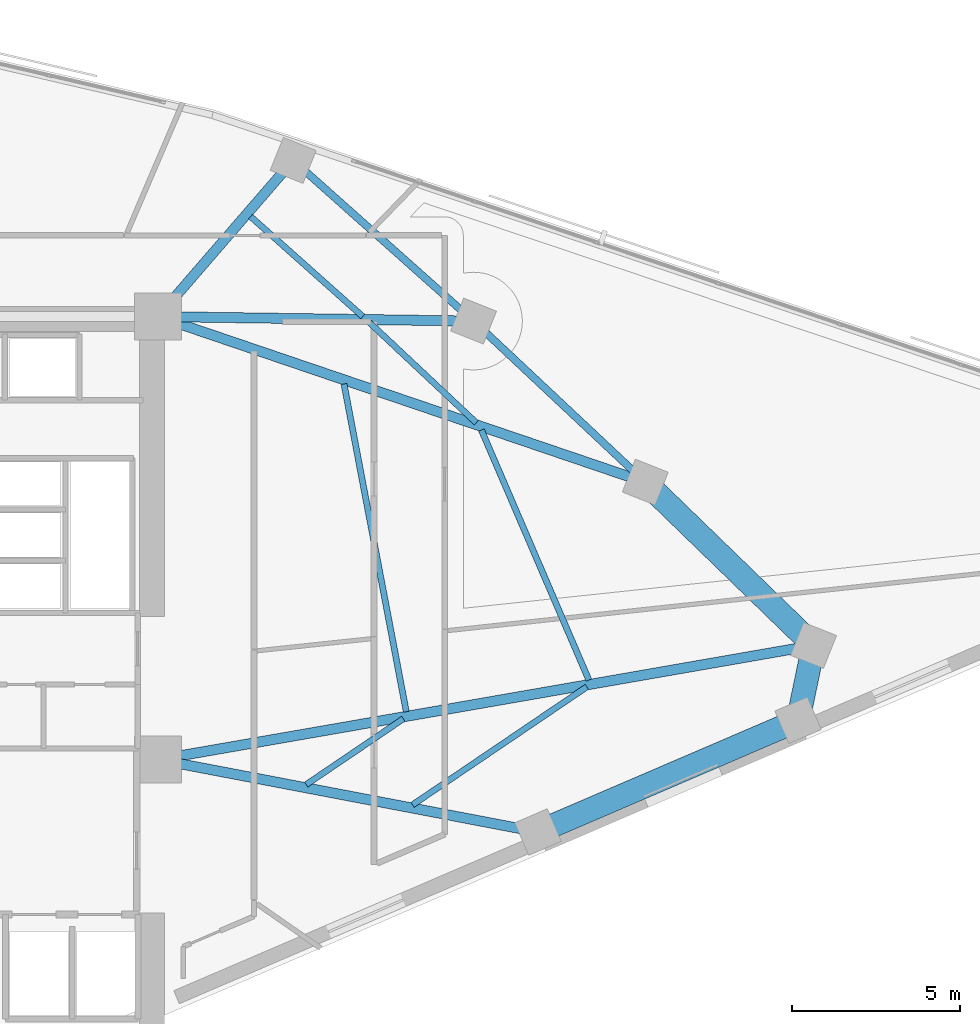
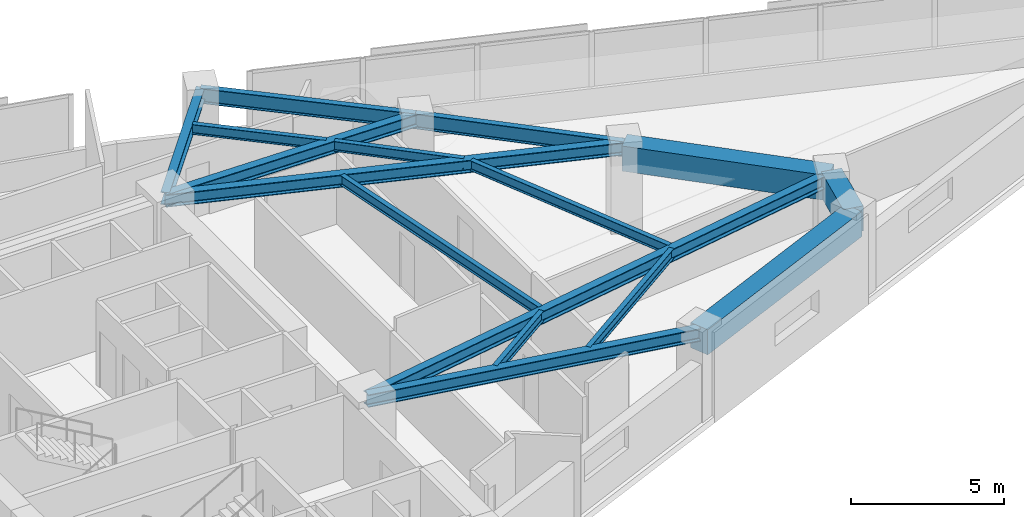
# One storey, part 3 of 13: 16 beams.
"""IFC4 building model written with IfcOpenShell, lengths in metres."""

from ifc_helpers import new_model, si_unit, direction, frame, origin, origin_2d, place, context, subcontext, project, spatial, rectangle, i_section, extrude, material, material_profile, profile_set, type_object, element, save


model = new_model("IFC4")

# Units and contexts
model_context = context("Model", 3, precision=1e-05, world=origin(), true_north=direction((0.0, 1.0)))
body_context = subcontext(model_context, "Body", "Model", "MODEL_VIEW")
ifc_project = project(units=[si_unit("LENGTHUNIT", "METRE"), si_unit("AREAUNIT", "SQUARE_METRE"), si_unit("VOLUMEUNIT", "CUBIC_METRE"), si_unit("PLANEANGLEUNIT", "RADIAN"), si_unit("MASSUNIT", "GRAM", prefix="KILO")], contexts=[model_context])

# Site, building, storey
site_placement = place(None, origin())
site = spatial("IfcSite", under=ifc_project, at=site_placement, CompositionType="ELEMENT")
building_placement = place(site_placement, origin())
building = spatial("IfcBuilding", under=site, at=building_placement, Name="Narakoshi Arena Tower", CompositionType="ELEMENT")
storey_placement = place(building_placement, frame((0.0, 0.0, 171.89990234375)))
storey = spatial("IfcBuildingStorey", under=building, at=storey_placement, Name="L46", CompositionType="ELEMENT", Elevation=171.89990234375)

# Beams
ifc_material_1 = material(Name="Concrete C60/75", Category="concrete")
ifc_material_profile_1 = material_profile(ifc_material_1, rectangle(XDim=0.699951171875, YDim=1.0, at=origin_2d()), Name="RCB700x1000")
ifc_profile_set_1 = profile_set([ifc_material_profile_1], Name="Concrete C60/75")
beam_type_1 = type_object("IfcBeamType", Name="BM-CPL-1000", PredefinedType="BEAM", material=ifc_profile_set_1)
beam_1_placement = place(storey_placement, frame((96.830078125, 41.2001953125, 2.840087890625), z_axis=(0.918792947441, 0.394739812703, 0.0), x_axis=(-0.394739812703, 0.918792947441, 0.0)))
element("IfcBeam", 1, at=beam_1_placement, inside=storey, type_object=beam_type_1, Name="L46 Perimeter Edge Girder 01", PredefinedType="BEAM", context=body_context, shape_type="SweptSolid", body=[
    extrude(rectangle(XDim=0.699951171875, YDim=1.0, at=origin_2d()), origin(), (0.0, 0.0, 1.0), 8.401611328125),
])
beam_2_placement = place(storey_placement, frame((104.54931640625, 44.5166015625, 2.840087890625), z_axis=(0.203000450605, 0.979178644096, 0.0), x_axis=(-0.979178644096, 0.203000450605, 0.0)))
element("IfcBeam", 2, at=beam_2_placement, inside=storey, type_object=beam_type_1, Name="L46 Perimeter Edge Girder 02", PredefinedType="BEAM", context=body_context, shape_type="SweptSolid", body=[
    extrude(rectangle(XDim=0.699951171875, YDim=1.0, at=origin_2d()), origin(), (0.0, 0.0, 1.0), 2.26953125),
])
beam_3_placement = place(storey_placement, frame((105.010009765625, 46.73876953125, 2.840087890625), z_axis=(-0.717826032278, 0.696222512839, 0.0), x_axis=(-0.696222512839, -0.717826032278, 0.0)))
element("IfcBeam", 3, at=beam_3_placement, inside=storey, type_object=beam_type_1, Name="L46 Perimeter Edge Girder 03", PredefinedType="BEAM", context=body_context, shape_type="SweptSolid", body=[
    extrude(rectangle(XDim=0.699951171875, YDim=1.0, at=origin_2d()), origin(), (0.0, 0.0, 1.0), 6.96142578125),
])
ifc_material_2 = material(Name="Structural steel S355J2", Category="steel")
ifc_material_profile_2 = material_profile(ifc_material_2, i_section(OverallWidth=0.219970703125, OverallDepth=0.60009765625, WebThickness=0.011962890625, FlangeThickness=0.01904296875, FilletRadius=0.02392578125, at=origin_2d()), Name="IPE600")
ifc_profile_set_2 = profile_set([ifc_material_profile_2], Name="Structural steel S355J2")
beam_type_2 = type_object("IfcBeamType", Name="BM-EDGE-600", PredefinedType="BEAM", material=ifc_profile_set_2)
beam_4_placement = place(storey_placement, frame((100.012939453125, 51.58544921875, 3.0400390625), z_axis=(-0.729413011888, 0.684073576517, 0.0), x_axis=(-0.684073576517, -0.729413011888, 0.0)))
element("IfcBeam", 4, at=beam_4_placement, inside=storey, type_object=beam_type_2, Name="L46 Perimeter Edge Girder 04", PredefinedType="BEAM", context=body_context, shape_type="SweptSolid", body=[
    extrude(i_section(OverallWidth=0.219970703125, OverallDepth=0.60009765625, WebThickness=0.011962890625, FlangeThickness=0.01904296875, FilletRadius=0.02392578125, at=origin_2d()), origin(), (0.0, 0.0, 1.0), 6.9892578125),
])
beam_5_placement = place(storey_placement, frame((94.914794921875, 56.36669921875, 3.0400390625), z_axis=(-0.746743797071, 0.665111796269, 0.0), x_axis=(-0.665111796269, -0.746743797071, 0.0)))
element("IfcBeam", 5, at=beam_5_placement, inside=storey, type_object=beam_type_2, Name="L46 Perimeter Edge Girder 05", PredefinedType="BEAM", context=body_context, shape_type="SweptSolid", body=[
    extrude(i_section(OverallWidth=0.219970703125, OverallDepth=0.60009765625, WebThickness=0.011962890625, FlangeThickness=0.01904296875, FilletRadius=0.02392578125, at=origin_2d()), origin(), (0.0, 0.0, 1.0), 7.168701171875),
])
ifc_material_profile_3 = material_profile(ifc_material_2, i_section(OverallWidth=0.300048828125, OverallDepth=0.5, WebThickness=0.014404296875, FlangeThickness=0.028076171875, FilletRadius=0.027099609375, at=origin_2d()), Name="HE500B")
ifc_profile_set_3 = profile_set([ifc_material_profile_3], Name="Structural steel S355J2")
beam_type_3 = type_object("IfcBeamType", Name="BM-PRI-500", PredefinedType="BEAM", material=ifc_profile_set_3)
beam_6_placement = place(storey_placement, frame((85.550048828125, 43.35009765625, 3.090087890625), z_axis=(0.982317345732, -0.187223482166, 0.0), x_axis=(0.187223482166, 0.982317345732, 0.0)))
element("IfcBeam", 6, at=beam_6_placement, inside=storey, type_object=beam_type_3, Name="L46 Radial Primary Floor Girder 01", PredefinedType="BEAM", context=body_context, shape_type="SweptSolid", body=[
    extrude(i_section(OverallWidth=0.300048828125, OverallDepth=0.5, WebThickness=0.014404296875, FlangeThickness=0.028076171875, FilletRadius=0.027099609375, at=origin_2d()), origin(), (0.0, 0.0, 1.0), 11.483154296875),
])
beam_7_placement = place(storey_placement, frame((85.550048828125, 43.35009765625, 3.090087890625), z_axis=(0.985174720478, 0.171553986052, 0.0), x_axis=(-0.171553986052, 0.985174720478, 0.0)))
element("IfcBeam", 7, at=beam_7_placement, inside=storey, type_object=beam_type_3, Name="L46 Radial Primary Floor Girder 03", PredefinedType="BEAM", context=body_context, shape_type="SweptSolid", body=[
    extrude(i_section(OverallWidth=0.300048828125, OverallDepth=0.5, WebThickness=0.014404296875, FlangeThickness=0.028076171875, FilletRadius=0.027099609375, at=origin_2d()), origin(), (0.0, 0.0, 1.0), 19.752685546875),
])
beam_8_placement = place(storey_placement, frame((85.550048828125, 56.5, 3.090087890625), z_axis=(0.94682923499, -0.321736537818, 0.0), x_axis=(0.321736537818, 0.94682923499, 0.0)))
element("IfcBeam", 8, at=beam_8_placement, inside=storey, type_object=beam_type_3, Name="L46 Radial Primary Floor Girder 04", PredefinedType="BEAM", context=body_context, shape_type="SweptSolid", body=[
    extrude(i_section(OverallWidth=0.300048828125, OverallDepth=0.5, WebThickness=0.014404296875, FlangeThickness=0.028076171875, FilletRadius=0.027099609375, at=origin_2d()), origin(), (0.0, 0.0, 1.0), 15.275146484375),
])
beam_9_placement = place(storey_placement, frame((85.550048828125, 56.5, 3.090087890625), z_axis=(0.999898707477, -0.014232876956, 0.0), x_axis=(0.014232876956, 0.999898707477, 0.0)))
element("IfcBeam", 9, at=beam_9_placement, inside=storey, type_object=beam_type_3, Name="L46 Radial Primary Floor Girder 05", PredefinedType="BEAM", context=body_context, shape_type="SweptSolid", body=[
    extrude(i_section(OverallWidth=0.300048828125, OverallDepth=0.5, WebThickness=0.014404296875, FlangeThickness=0.028076171875, FilletRadius=0.027099609375, at=origin_2d()), origin(), (0.0, 0.0, 1.0), 9.36572265625),
])
beam_10_placement = place(storey_placement, frame((85.550048828125, 56.5, 3.090087890625), z_axis=(0.654434553487, 0.756118651537, 0.0), x_axis=(-0.756118651537, 0.654434553487, 0.0)))
element("IfcBeam", 10, at=beam_10_placement, inside=storey, type_object=beam_type_3, Name="L46 Radial Primary Floor Girder 06", PredefinedType="BEAM", context=body_context, shape_type="SweptSolid", body=[
    extrude(i_section(OverallWidth=0.300048828125, OverallDepth=0.5, WebThickness=0.014404296875, FlangeThickness=0.028076171875, FilletRadius=0.027099609375, at=origin_2d()), origin(), (0.0, 0.0, 1.0), 6.129638671875),
])
ifc_material_profile_4 = material_profile(ifc_material_2, i_section(OverallWidth=0.179931640625, OverallDepth=0.39990234375, WebThickness=0.008544921875, FlangeThickness=0.013427734375, FilletRadius=0.02099609375, at=origin_2d()), Name="IPE400")
ifc_profile_set_4 = profile_set([ifc_material_profile_4], Name="Structural steel S355J2")
beam_type_4 = type_object("IfcBeamType", Name="BM-SEC-400", PredefinedType="JOIST", material=ifc_profile_set_4)
beam_11_placement = place(storey_placement, frame((89.9482421875, 42.608642578125, 3.14013671875), z_axis=(0.828028888203, 0.560685437924, 0.0), x_axis=(-0.560685437924, 0.828028888203, 0.0)))
element("IfcBeam", 11, at=beam_11_placement, inside=storey, type_object=beam_type_4, Name="L46 Composite Secondary Floor Joist 01", PredefinedType="JOIST", context=body_context, shape_type="SweptSolid", body=[
    extrude(i_section(OverallWidth=0.179931640625, OverallDepth=0.39990234375, WebThickness=0.008544921875, FlangeThickness=0.013427734375, FilletRadius=0.02099609375, at=origin_2d()), origin(), (0.0, 0.0, 1.0), 3.48388671875),
])
beam_12_placement = place(storey_placement, frame((93.106689453125, 42.0068359375, 3.14013671875), z_axis=(0.828032186591, 0.560680566785, 0.0), x_axis=(-0.560680566785, 0.828032186591, 0.0)))
element("IfcBeam", 12, at=beam_12_placement, inside=storey, type_object=beam_type_4, Name="L46 Composite Secondary Floor Joist 02", PredefinedType="JOIST", context=body_context, shape_type="SweptSolid", body=[
    extrude(i_section(OverallWidth=0.179931640625, OverallDepth=0.39990234375, WebThickness=0.008544921875, FlangeThickness=0.013427734375, FilletRadius=0.02099609375, at=origin_2d()), origin(), (0.0, 0.0, 1.0), 6.249755859375),
])
beam_13_placement = place(storey_placement, frame((92.919677734375, 44.7705078125, 3.14013671875), z_axis=(-0.186663500969, 0.982423909219, 0.0), x_axis=(-0.982423909219, -0.186663500969, 0.0)))
element("IfcBeam", 13, at=beam_13_placement, inside=storey, type_object=beam_type_4, Name="L46 Composite Secondary Floor Joist 03", PredefinedType="JOIST", context=body_context, shape_type="SweptSolid", body=[
    extrude(i_section(OverallWidth=0.179931640625, OverallDepth=0.39990234375, WebThickness=0.008544921875, FlangeThickness=0.013427734375, FilletRadius=0.02099609375, at=origin_2d()), origin(), (0.0, 0.0, 1.0), 9.903564453125),
])
beam_14_placement = place(storey_placement, frame((98.340087890625, 45.710693359375, 3.14013671875), z_axis=(-0.395038717544, 0.918664471742, 0.0), x_axis=(-0.918664471742, -0.395038717544, 0.0)))
element("IfcBeam", 14, at=beam_14_placement, inside=storey, type_object=beam_type_4, Name="L46 Composite Secondary Floor Joist 04", PredefinedType="JOIST", context=body_context, shape_type="SweptSolid", body=[
    extrude(i_section(OverallWidth=0.179931640625, OverallDepth=0.39990234375, WebThickness=0.008544921875, FlangeThickness=0.013427734375, FilletRadius=0.02099609375, at=origin_2d()), origin(), (0.0, 0.0, 1.0), 8.07861328125),
])
beam_15_placement = place(storey_placement, frame((94.9970703125, 53.348876953125, 3.14013671875), z_axis=(-0.729453050593, 0.684030881598, 0.0), x_axis=(-0.684030881598, -0.729453050593, 0.0)))
element("IfcBeam", 15, at=beam_15_placement, inside=storey, type_object=beam_type_4, Name="L46 Composite Secondary Floor Joist 05", PredefinedType="JOIST", context=body_context, shape_type="SweptSolid", body=[
    extrude(i_section(OverallWidth=0.179931640625, OverallDepth=0.39990234375, WebThickness=0.008544921875, FlangeThickness=0.013427734375, FilletRadius=0.02099609375, at=origin_2d()), origin(), (0.0, 0.0, 1.0), 4.343017578125),
])
beam_16_placement = place(storey_placement, frame((91.6298828125, 56.501708984375, 3.14013671875), z_axis=(-0.746726556719, 0.665131152097, 0.0), x_axis=(-0.665131152097, -0.746726556719, 0.0)))
element("IfcBeam", 16, at=beam_16_placement, inside=storey, type_object=beam_type_4, Name="L46 Composite Secondary Floor Joist 06", PredefinedType="JOIST", context=body_context, shape_type="SweptSolid", body=[
    extrude(i_section(OverallWidth=0.179931640625, OverallDepth=0.39990234375, WebThickness=0.008544921875, FlangeThickness=0.013427734375, FilletRadius=0.02099609375, at=origin_2d()), origin(), (0.0, 0.0, 1.0), 4.461181640625),
])

save(model, "model.ifc")
